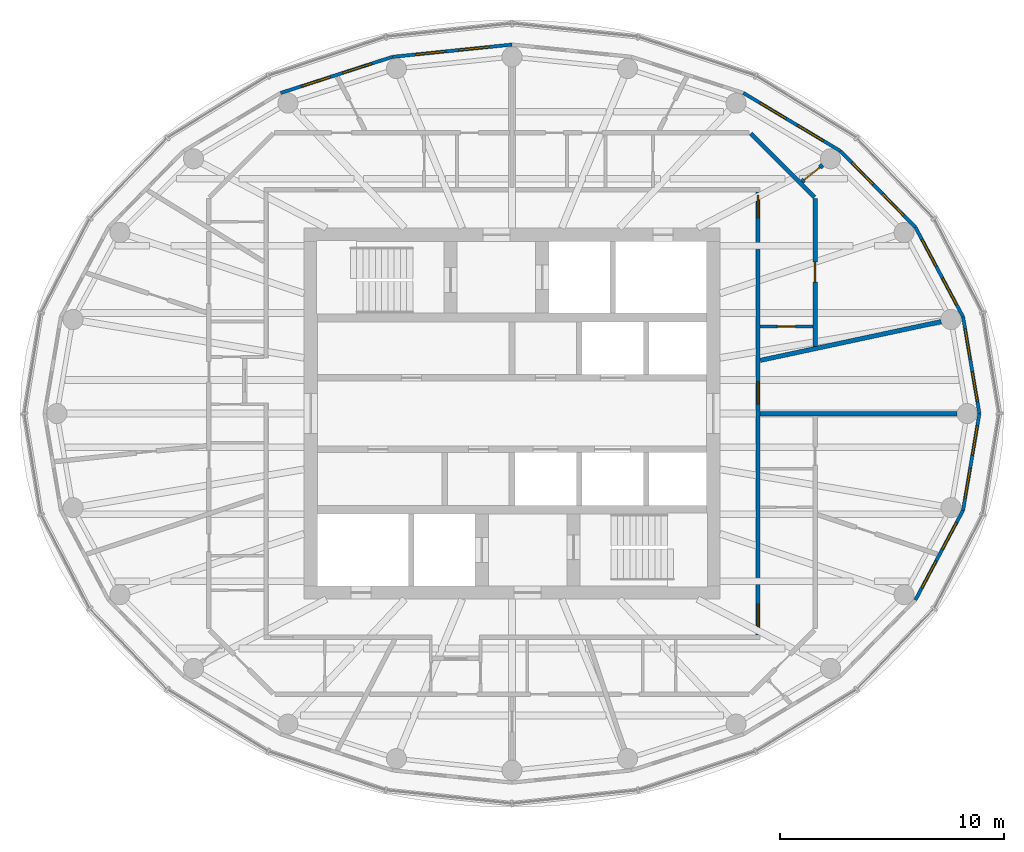
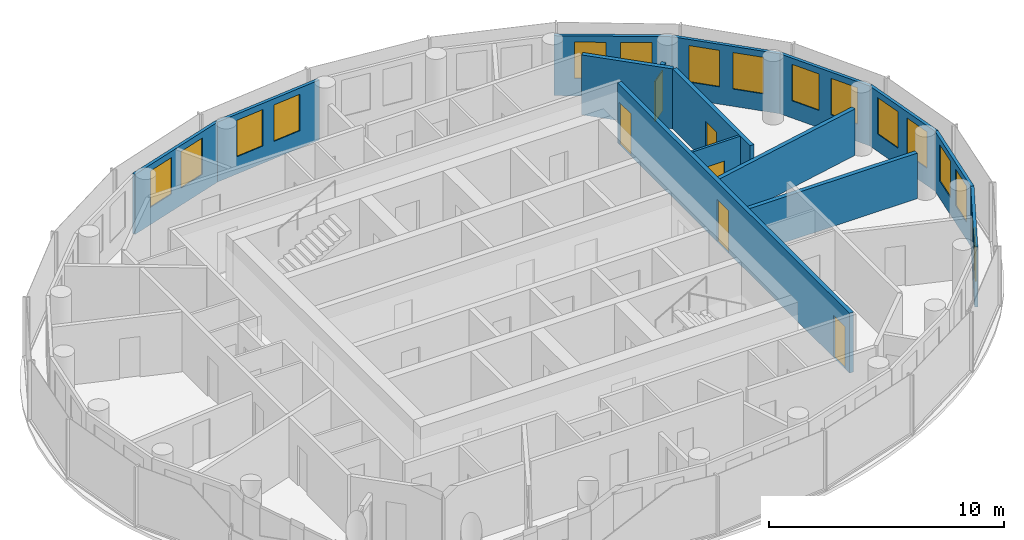
# One storey, part 9 of 11: 16 windows, 15 walls, 6 doors, 22 openings.
"""IFC4 building model written with IfcOpenShell, lengths in metres."""

import ifcopenshell
import ifcopenshell.guid

model = None  # the IFC model being written
_history = None  # IfcOwnerHistory: only IFC2X3 demands one
_inside = {}  # id of a spatial element -> (the spatial element, [elements in it])
_under = {}  # id of a project, library or spatial element -> (it, [spatial elements below it])
_declared = {}  # id of a project -> (the project, [libraries it declares])
_typed = {}  # id of a type object -> (the type object, [elements of that type])
_made_of = {}  # id of a material, layer set ... -> (it, [elements and type objects made of it])


def new_model(schema):
    """Start an empty IFC model of exactly this schema.

    Asked for "IFC4X3", IfcOpenShell would pick the latest addendum, in which some entities
    have other attributes; the version numbers below select the first issue.
    IFC2X3 requires an IfcOwnerHistory on every rooted entity: one is made here for all.
    """
    global model, _history
    if schema == "IFC4X3":
        model = ifcopenshell.file(schema_version=(4, 3, 0, 0))
    else:
        model = ifcopenshell.file(schema=schema)
    _inside.clear()
    _under.clear()
    _declared.clear()
    _typed.clear()
    _made_of.clear()
    _history = None
    if model.schema == "IFC2X3":
        org = make("IfcOrganization", Name="unknown")
        user = make(
            "IfcPersonAndOrganization",
            ThePerson=make("IfcPerson", FamilyName="unknown"),
            TheOrganization=org,
        )
        app = make(
            "IfcApplication",
            ApplicationDeveloper=org,
            Version="unknown",
            ApplicationFullName="unknown",
            ApplicationIdentifier="unknown",
        )
        _history = make(
            "IfcOwnerHistory",
            OwningUser=user,
            OwningApplication=app,
            ChangeAction="ADDED",
            CreationDate=0,
        )
    return model


def make(cls, **values):
    """One entity of the class cls with the attributes given. An attribute that is None is left unset."""
    return model.create_entity(
        cls, **{name: value for name, value in values.items() if value is not None}
    )


def rooted(cls, **values):
    """An entity with a GlobalId (a new one), such as an element, a storey or a relation."""
    return make(cls, GlobalId=ifcopenshell.guid.new(), OwnerHistory=_history, **values)


def si_unit(unit_type, name, prefix=None):
    """IfcSIUnit, for example si_unit("LENGTHUNIT", "METRE", prefix="MILLI")."""
    return make("IfcSIUnit", UnitType=unit_type, Prefix=prefix, Name=name)


def assignment(units):
    """IfcUnitAssignment: the units of a project."""
    return None if units is None else make("IfcUnitAssignment", Units=units)


def point(xyz):
    """IfcCartesianPoint."""
    return None if xyz is None else make("IfcCartesianPoint", Coordinates=xyz)


def direction(xyz):
    """IfcDirection."""
    return None if xyz is None else make("IfcDirection", DirectionRatios=xyz)


def frame(location, z_axis=None, x_axis=None):
    """IfcAxis2Placement3D, a coordinate frame: its origin and axes. An axis left out is left unset."""
    return make(
        "IfcAxis2Placement3D",
        Location=point(location),
        Axis=direction(z_axis),
        RefDirection=direction(x_axis),
    )


def frame_2d(location, x_axis=None):
    """IfcAxis2Placement2D, a coordinate frame in the plane: its origin and x axis."""
    return make(
        "IfcAxis2Placement2D", Location=point(location), RefDirection=direction(x_axis)
    )


def origin():
    """The frame at (0, 0, 0) with its axes left unset."""
    return frame((0.0, 0.0, 0.0))


def place(relative_to, where):
    """IfcLocalPlacement: puts the frame where relative to a parent placement (None: the world)."""
    return make(
        "IfcLocalPlacement", PlacementRelTo=relative_to, RelativePlacement=where
    )


def context(
    kind, dimensions, precision=None, world=None, true_north=None, identifier=None
):
    """IfcGeometricRepresentationContext, for example the 3D "Model" context."""
    return make(
        "IfcGeometricRepresentationContext",
        ContextIdentifier=identifier,
        ContextType=kind,
        CoordinateSpaceDimension=dimensions,
        Precision=precision,
        WorldCoordinateSystem=world,
        TrueNorth=true_north,
    )


def subcontext(parent, identifier, kind, view, scale=None):
    """IfcGeometricRepresentationSubContext, for example "Body" below "Model"."""
    return make(
        "IfcGeometricRepresentationSubContext",
        ContextIdentifier=identifier,
        ContextType=kind,
        ParentContext=parent,
        TargetScale=scale,
        TargetView=view,
    )


def project(units=None, contexts=None):
    """IfcProject with its units and contexts."""
    return rooted(
        "IfcProject",
        Name="project",
        RepresentationContexts=contexts,
        UnitsInContext=assignment(units),
    )


def spatial(cls, under=None, at=None, **own):
    """A site, building, storey or space (cls), placed at a placement, below another one or the project."""
    s = rooted(cls, ObjectPlacement=at, **own)
    if under is not None:
        _under.setdefault(under.id(), (under, []))[1].append(s)
    return s


def profile(cls, at=None, kind="AREA", **sizes):
    """A parametric profile (cls). Its sizes go by their IFC names, for example OverallWidth=200.0."""
    return make(cls, ProfileType=kind, Position=at, **sizes)


def rectangle(**sizes):
    """IfcRectangleProfileDef."""
    return profile("IfcRectangleProfileDef", **sizes)


def extrude(swept, where, along, depth):
    """IfcExtrudedAreaSolid: the profile swept, set in the frame where, extruded along a direction by depth."""
    return make(
        "IfcExtrudedAreaSolid",
        SweptArea=swept,
        Position=where,
        ExtrudedDirection=direction(along),
        Depth=depth,
    )


def shape(context_of_items, identifier, shape_type, items):
    """IfcShapeRepresentation: the items that make up one representation, for example the "Body"."""
    return make(
        "IfcShapeRepresentation",
        ContextOfItems=context_of_items,
        RepresentationIdentifier=identifier,
        RepresentationType=shape_type,
        Items=items,
    )


def material(Name=None, Category=None):
    """IfcMaterial."""
    return make("IfcMaterial", Name=Name, Category=Category)


def layer(
    of_material, thickness, ventilated=None, Name=None, Category=None, Priority=None
):
    """IfcMaterialLayer: one layer of a wall or slab, of a material (None: an air gap)."""
    return make(
        "IfcMaterialLayer",
        Material=of_material,
        LayerThickness=thickness,
        IsVentilated=ventilated,
        Name=Name,
        Category=Category,
        Priority=Priority,
    )


def layer_set(layers, Name=None):
    """IfcMaterialLayerSet."""
    return make("IfcMaterialLayerSet", MaterialLayers=layers, LayerSetName=Name)


def made_of(thing, what):
    """Note that an element or type object is made of a material, layer set ...; save() writes the relation."""
    if what is not None:
        _made_of.setdefault(what.id(), (what, []))[1].append(thing)
    return thing


def type_object(cls, material=None, **own):
    """A type object (cls), such as IfcWallType, which elements share."""
    return made_of(rooted(cls, **own), material)


def element(
    cls,
    number,
    at=None,
    inside=None,
    cuts=None,
    type_object=None,
    material=None,
    context=None,
    identifier="Body",
    shape_type=None,
    held_by="IfcProductDefinitionShape",
    body=None,
    shapes=None,
    **own,
):
    """One element of the class cls, such as IfcWall. Its Tag is "e" and its number.

    at: its placement. inside: the storey or other place that contains it. cuts: it is an
    opening in that element (IfcRelVoidsElement). A single representation is given by context,
    identifier, shape_type and body (its items); several are given by shapes. held_by: the class
    of the entity that holds the representations. save() writes the other relations.
    """
    e = rooted(cls, Tag="e%d" % number, ObjectPlacement=at, **own)
    if body is not None:
        shapes = [shape(context, identifier, shape_type, body)]
    if shapes is not None:
        e.Representation = make(held_by, Representations=shapes)
    if inside is not None:
        _inside.setdefault(inside.id(), (inside, []))[1].append(e)
    if cuts is not None:
        rooted(
            "IfcRelVoidsElement", RelatingBuildingElement=cuts, RelatedOpeningElement=e
        )
    if type_object is not None:
        _typed.setdefault(type_object.id(), (type_object, []))[1].append(e)
    return made_of(e, material)


def fill(opening, filler):
    """IfcRelFillsElement: the door or window that sits in an opening."""
    return rooted(
        "IfcRelFillsElement",
        RelatingOpeningElement=opening,
        RelatedBuildingElement=filler,
    )


def aggregate(whole, parts):
    """IfcRelAggregates: a whole, such as a stair, and the parts it consists of."""
    return rooted("IfcRelAggregates", RelatingObject=whole, RelatedObjects=parts)


def save(model, path):
    """Write the relations noted so far, then the file.

    IfcRelAggregates (storeys below a building ...), IfcRelContainedInSpatialStructure (elements
    in a storey), IfcRelDefinesByType, IfcRelAssociatesMaterial and IfcRelDeclares: one each for
    every whole, place, type object, material and project.
    """
    for whole, parts in _under.values():
        aggregate(whole, parts)
    for where, things in _inside.values():
        rooted(
            "IfcRelContainedInSpatialStructure",
            RelatedElements=things,
            RelatingStructure=where,
        )
    for kind, things in _typed.values():
        rooted("IfcRelDefinesByType", RelatedObjects=things, RelatingType=kind)
    for what, things in _made_of.values():
        rooted("IfcRelAssociatesMaterial", RelatedObjects=things, RelatingMaterial=what)
    for by, libraries in _declared.values():
        rooted("IfcRelDeclares", RelatingContext=by, RelatedDefinitions=libraries)
    model.write(path)


model = new_model("IFC4")

# Units and contexts
model_context = context("Model", 3, precision=1e-05, world=origin(), true_north=direction((0.0, 1.0)))
body_context = subcontext(model_context, "Body", "Model", "MODEL_VIEW")
ifc_project = project(units=[si_unit("LENGTHUNIT", "METRE"), si_unit("AREAUNIT", "SQUARE_METRE"), si_unit("VOLUMEUNIT", "CUBIC_METRE"), si_unit("PLANEANGLEUNIT", "RADIAN"), si_unit("MASSUNIT", "GRAM", prefix="KILO")], contexts=[model_context])

# Site, building, storey
site_placement = place(None, origin())
site = spatial("IfcSite", under=ifc_project, at=site_placement, CompositionType="ELEMENT")
building_placement = place(site_placement, origin())
building = spatial("IfcBuilding", under=site, at=building_placement, Name="Hankou Lantern Tower", CompositionType="ELEMENT")
storey_placement = place(building_placement, frame((0.0, 0.0, 196.199951171875)))
storey = spatial("IfcBuildingStorey", under=building, at=storey_placement, Name="L52", CompositionType="ELEMENT", Elevation=196.199951171875)

# Wall, openings, windows
ifc_material_1 = material(Name="Aluminium spandrel panel on steel studs", Category="steel")
ifc_layer_1 = layer(ifc_material_1, 0.14990234375)
ifc_layer_set_1 = layer_set([ifc_layer_1], Name="Aluminium spandrel panel on steel studs")
wall_type_1 = type_object("IfcWallType", Name="EW1 INNER SKIN WALL 150", PredefinedType="ELEMENTEDWALL", material=ifc_layer_set_1)
wall_1_placement = place(storey_placement, frame((20.89990234375, 0.0, 0.0), z_axis=(0.0, 0.0, 1.0), x_axis=(-0.166538513568, 0.986034950445, 0.0)))
wall_1 = element("IfcWall", 1, at=wall_1_placement, inside=storey, type_object=wall_type_1, Name="Inner skin R01-R02 L52", PredefinedType="ELEMENTEDWALL", context=body_context, shape_type="SweptSolid", body=[
    extrude(rectangle(XDim=4.384765625, YDim=0.14990234375, at=frame_2d((2.1923828125, 0.0))), origin(), (0.0, 0.0, 1.0), 3.1201171875),
])
opening_1_placement = place(wall_1_placement, frame((0.54248046875, 0.0, 0.89990234375)))
opening_1 = element("IfcOpeningElement", 2, at=opening_1_placement, cuts=wall_1, Name="Opening W4", PredefinedType="OPENING", context=body_context, shape_type="SweptSolid", body=[
    extrude(rectangle(XDim=1.35009765625, YDim=1.89990234375, at=frame_2d((0.675048828125, 0.949951171875))), frame((0.0, 0.0849609375, 0.0), z_axis=(0.0, -1.0, 0.0), x_axis=(1.0, 0.0, 0.0)), (0.0, 0.0, 1.0), 0.169921875),
])
opening_2_placement = place(wall_1_placement, frame((2.492431640625, 0.0, 0.89990234375)))
opening_2 = element("IfcOpeningElement", 3, at=opening_2_placement, cuts=wall_1, Name="Opening W4", PredefinedType="OPENING", context=body_context, shape_type="SweptSolid", body=[
    extrude(rectangle(XDim=1.35009765625, YDim=1.89990234375, at=frame_2d((0.675048828125, 0.949951171875))), frame((0.0, 0.0849609375, 0.0), z_axis=(0.0, -1.0, 0.0), x_axis=(1.0, 0.0, 0.0)), (0.0, 0.0, 1.0), 0.169921875),
])
ifc_material_2 = material(Name="Aluminium framed double glazed window", Category="aluminium")
window_type = type_object("IfcWindowType", Name="W4 SUITE WINDOW 1350X1900", PartitioningType="DOUBLE_PANEL_VERTICAL", PredefinedType="WINDOW", material=ifc_material_2)
window_1_placement = place(opening_1_placement, origin())
window_1 = element("IfcWindow", 4, at=window_1_placement, inside=storey, type_object=window_type, Name="Window R01.1 L52", OverallHeight=1.89990234375, OverallWidth=1.35009765625, PartitioningType="SINGLE_PANEL", PredefinedType="WINDOW", context=body_context, shape_type="SweptSolid", body=[
    extrude(rectangle(XDim=1.35009765625, YDim=1.89990234375, at=frame_2d((0.675048828125, 0.949951171875))), frame((0.0, 0.030029296875, 0.0), z_axis=(0.0, -1.0, 0.0), x_axis=(1.0, 0.0, 0.0)), (0.0, 0.0, 1.0), 0.06005859375),
])
fill(opening_1, window_1)
window_2_placement = place(opening_2_placement, origin())
window_2 = element("IfcWindow", 5, at=window_2_placement, inside=storey, type_object=window_type, Name="Window R01.2 L52", OverallHeight=1.89990234375, OverallWidth=1.35009765625, PartitioningType="SINGLE_PANEL", PredefinedType="WINDOW", context=body_context, shape_type="SweptSolid", body=[
    extrude(rectangle(XDim=1.35009765625, YDim=1.89990234375, at=frame_2d((0.675048828125, 0.949951171875))), frame((0.0, 0.030029296875, 0.0), z_axis=(0.0, -1.0, 0.0), x_axis=(1.0, 0.0, 0.0)), (0.0, 0.0, 1.0), 0.06005859375),
])
fill(opening_2, window_2)

wall_2_placement = place(storey_placement, frame((20.169677734375, 4.323486328125, 0.0), z_axis=(0.0, 0.0, 1.0), x_axis=(-0.469256152955, 0.883062094597, 0.0)))
wall_2 = element("IfcWall", 6, at=wall_2_placement, inside=storey, type_object=wall_type_1, Name="Inner skin R02-R03 L52", PredefinedType="ELEMENTEDWALL", context=body_context, shape_type="SweptSolid", body=[
    extrude(rectangle(XDim=4.539306640625, YDim=0.14990234375, at=frame_2d((2.26953125, 0.0))), origin(), (0.0, 0.0, 1.0), 3.1201171875),
])
opening_3_placement = place(wall_2_placement, frame((0.61962890625, 0.0, 0.89990234375)))
opening_3 = element("IfcOpeningElement", 7, at=opening_3_placement, cuts=wall_2, Name="Opening W4", PredefinedType="OPENING", context=body_context, shape_type="SweptSolid", body=[
    extrude(rectangle(XDim=1.35009765625, YDim=1.89990234375, at=frame_2d((0.675048828125, 0.949951171875))), frame((0.0, 0.0849609375, 0.0), z_axis=(0.0, -1.0, 0.0), x_axis=(1.0, 0.0, 0.0)), (0.0, 0.0, 1.0), 0.169921875),
])
opening_4_placement = place(wall_2_placement, frame((2.569580078125, 0.0, 0.89990234375)))
opening_4 = element("IfcOpeningElement", 8, at=opening_4_placement, cuts=wall_2, Name="Opening W4", PredefinedType="OPENING", context=body_context, shape_type="SweptSolid", body=[
    extrude(rectangle(XDim=1.35009765625, YDim=1.89990234375, at=frame_2d((0.675048828125, 0.949951171875))), frame((0.0, 0.0849609375, 0.0), z_axis=(0.0, -1.0, 0.0), x_axis=(1.0, 0.0, 0.0)), (0.0, 0.0, 1.0), 0.169921875),
])
window_3_placement = place(opening_3_placement, origin())
window_3 = element("IfcWindow", 9, at=window_3_placement, inside=storey, type_object=window_type, Name="Window R02.1 L52", OverallHeight=1.89990234375, OverallWidth=1.35009765625, PartitioningType="SINGLE_PANEL", PredefinedType="WINDOW", context=body_context, shape_type="SweptSolid", body=[
    extrude(rectangle(XDim=1.35009765625, YDim=1.89990234375, at=frame_2d((0.675048828125, 0.949951171875))), frame((0.0, 0.030029296875, 0.0), z_axis=(0.0, -1.0, 0.0), x_axis=(1.0, 0.0, 0.0)), (0.0, 0.0, 1.0), 0.06005859375),
])
fill(opening_3, window_3)
window_4_placement = place(opening_4_placement, origin())
window_4 = element("IfcWindow", 10, at=window_4_placement, inside=storey, type_object=window_type, Name="Window R02.2 L52", OverallHeight=1.89990234375, OverallWidth=1.35009765625, PartitioningType="SINGLE_PANEL", PredefinedType="WINDOW", context=body_context, shape_type="SweptSolid", body=[
    extrude(rectangle(XDim=1.35009765625, YDim=1.89990234375, at=frame_2d((0.675048828125, 0.949951171875))), frame((0.0, 0.030029296875, 0.0), z_axis=(0.0, -1.0, 0.0), x_axis=(1.0, 0.0, 0.0)), (0.0, 0.0, 1.0), 0.06005859375),
])
fill(opening_4, window_4)

wall_3_placement = place(storey_placement, frame((18.03955078125, 8.33203125, 0.0), z_axis=(0.0, 0.0, 1.0), x_axis=(-0.701527379618, 0.712642501993, 0.0)))
wall_3 = element("IfcWall", 11, at=wall_3_placement, inside=storey, type_object=wall_type_1, Name="Inner skin R03-R04 L52", PredefinedType="ELEMENTEDWALL", context=body_context, shape_type="SweptSolid", body=[
    extrude(rectangle(XDim=4.788330078125, YDim=0.14990234375, at=frame_2d((2.39404296875, 0.0))), origin(), (0.0, 0.0, 1.0), 3.1201171875),
])
opening_5_placement = place(wall_3_placement, frame((0.744140625, 0.0, 0.89990234375)))
opening_5 = element("IfcOpeningElement", 12, at=opening_5_placement, cuts=wall_3, Name="Opening W4", PredefinedType="OPENING", context=body_context, shape_type="SweptSolid", body=[
    extrude(rectangle(XDim=1.35009765625, YDim=1.89990234375, at=frame_2d((0.675048828125, 0.949951171875))), frame((0.0, 0.0849609375, 0.0), z_axis=(0.0, -1.0, 0.0), x_axis=(1.0, 0.0, 0.0)), (0.0, 0.0, 1.0), 0.169921875),
])
opening_6_placement = place(wall_3_placement, frame((2.694091796875, 0.0, 0.89990234375)))
opening_6 = element("IfcOpeningElement", 13, at=opening_6_placement, cuts=wall_3, Name="Opening W4", PredefinedType="OPENING", context=body_context, shape_type="SweptSolid", body=[
    extrude(rectangle(XDim=1.35009765625, YDim=1.89990234375, at=frame_2d((0.675048828125, 0.949951171875))), frame((0.0, 0.0849609375, 0.0), z_axis=(0.0, -1.0, 0.0), x_axis=(1.0, 0.0, 0.0)), (0.0, 0.0, 1.0), 0.169921875),
])
window_5_placement = place(opening_5_placement, origin())
window_5 = element("IfcWindow", 14, at=window_5_placement, inside=storey, type_object=window_type, Name="Window R03.1 L52", OverallHeight=1.89990234375, OverallWidth=1.35009765625, PartitioningType="SINGLE_PANEL", PredefinedType="WINDOW", context=body_context, shape_type="SweptSolid", body=[
    extrude(rectangle(XDim=1.35009765625, YDim=1.89990234375, at=frame_2d((0.675048828125, 0.949951171875))), frame((0.0, 0.030029296875, 0.0), z_axis=(0.0, -1.0, 0.0), x_axis=(1.0, 0.0, 0.0)), (0.0, 0.0, 1.0), 0.06005859375),
])
fill(opening_5, window_5)
window_6_placement = place(opening_6_placement, origin())
window_6 = element("IfcWindow", 15, at=window_6_placement, inside=storey, type_object=window_type, Name="Window R03.2 L52", OverallHeight=1.89990234375, OverallWidth=1.35009765625, PartitioningType="SINGLE_PANEL", PredefinedType="WINDOW", context=body_context, shape_type="SweptSolid", body=[
    extrude(rectangle(XDim=1.35009765625, YDim=1.89990234375, at=frame_2d((0.675048828125, 0.949951171875))), frame((0.0, 0.030029296875, 0.0), z_axis=(0.0, -1.0, 0.0), x_axis=(1.0, 0.0, 0.0)), (0.0, 0.0, 1.0), 0.06005859375),
])
fill(opening_6, window_6)

wall_4_placement = place(storey_placement, frame((14.680419921875, 11.744384765625, 0.0), z_axis=(0.0, 0.0, 1.0), x_axis=(-0.85822150553, 0.513279502265, 0.0)))
wall_4 = element("IfcWall", 16, at=wall_4_placement, inside=storey, type_object=wall_type_1, Name="Inner skin R04-R05 L52", PredefinedType="ELEMENTEDWALL", context=body_context, shape_type="SweptSolid", body=[
    extrude(rectangle(XDim=5.050048828125, YDim=0.14990234375, at=frame_2d((2.52490234375, 0.0))), origin(), (0.0, 0.0, 1.0), 3.1201171875),
])
opening_7_placement = place(wall_4_placement, frame((0.875, 0.0, 0.89990234375)))
opening_7 = element("IfcOpeningElement", 17, at=opening_7_placement, cuts=wall_4, Name="Opening W4", PredefinedType="OPENING", context=body_context, shape_type="SweptSolid", body=[
    extrude(rectangle(XDim=1.35009765625, YDim=1.89990234375, at=frame_2d((0.675048828125, 0.949951171875))), frame((0.0, 0.0849609375, 0.0), z_axis=(0.0, -1.0, 0.0), x_axis=(1.0, 0.0, 0.0)), (0.0, 0.0, 1.0), 0.169921875),
])
opening_8_placement = place(wall_4_placement, frame((2.824951171875, 0.0, 0.89990234375)))
opening_8 = element("IfcOpeningElement", 18, at=opening_8_placement, cuts=wall_4, Name="Opening W4", PredefinedType="OPENING", context=body_context, shape_type="SweptSolid", body=[
    extrude(rectangle(XDim=1.35009765625, YDim=1.89990234375, at=frame_2d((0.675048828125, 0.949951171875))), frame((0.0, 0.0849609375, 0.0), z_axis=(0.0, -1.0, 0.0), x_axis=(1.0, 0.0, 0.0)), (0.0, 0.0, 1.0), 0.169921875),
])
window_7_placement = place(opening_7_placement, origin())
window_7 = element("IfcWindow", 19, at=window_7_placement, inside=storey, type_object=window_type, Name="Window R04.1 L52", OverallHeight=1.89990234375, OverallWidth=1.35009765625, PartitioningType="SINGLE_PANEL", PredefinedType="WINDOW", context=body_context, shape_type="SweptSolid", body=[
    extrude(rectangle(XDim=1.35009765625, YDim=1.89990234375, at=frame_2d((0.675048828125, 0.949951171875))), frame((0.0, 0.030029296875, 0.0), z_axis=(0.0, -1.0, 0.0), x_axis=(1.0, 0.0, 0.0)), (0.0, 0.0, 1.0), 0.06005859375),
])
fill(opening_7, window_7)
window_8_placement = place(opening_8_placement, origin())
window_8 = element("IfcWindow", 20, at=window_8_placement, inside=storey, type_object=window_type, Name="Window R04.2 L52", OverallHeight=1.89990234375, OverallWidth=1.35009765625, PartitioningType="SINGLE_PANEL", PredefinedType="WINDOW", context=body_context, shape_type="SweptSolid", body=[
    extrude(rectangle(XDim=1.35009765625, YDim=1.89990234375, at=frame_2d((0.675048828125, 0.949951171875))), frame((0.0, 0.030029296875, 0.0), z_axis=(0.0, -1.0, 0.0), x_axis=(1.0, 0.0, 0.0)), (0.0, 0.0, 1.0), 0.06005859375),
])
fill(opening_8, window_8)

wall_5_placement = place(storey_placement, frame((0.0, 16.5, 0.0), z_axis=(0.0, 0.0, 1.0), x_axis=(-0.994774574972, -0.102095763818, 0.0)))
wall_5 = element("IfcWall", 21, at=wall_5_placement, inside=storey, type_object=wall_type_1, Name="Inner skin R07-R08 L52", PredefinedType="ELEMENTEDWALL", context=body_context, shape_type="SweptSolid", body=[
    extrude(rectangle(XDim=5.370849609375, YDim=0.14990234375, at=frame_2d((2.685546875, 0.0))), origin(), (0.0, 0.0, 1.0), 3.1201171875),
])
opening_9_placement = place(wall_5_placement, frame((1.035400390625, 0.0, 0.89990234375)))
opening_9 = element("IfcOpeningElement", 22, at=opening_9_placement, cuts=wall_5, Name="Opening W4", PredefinedType="OPENING", context=body_context, shape_type="SweptSolid", body=[
    extrude(rectangle(XDim=1.35009765625, YDim=1.89990234375, at=frame_2d((0.675048828125, 0.949951171875))), frame((0.0, 0.0849609375, 0.0), z_axis=(0.0, -1.0, 0.0), x_axis=(1.0, 0.0, 0.0)), (0.0, 0.0, 1.0), 0.169921875),
])
opening_10_placement = place(wall_5_placement, frame((2.9853515625, 0.0, 0.89990234375)))
opening_10 = element("IfcOpeningElement", 23, at=opening_10_placement, cuts=wall_5, Name="Opening W4", PredefinedType="OPENING", context=body_context, shape_type="SweptSolid", body=[
    extrude(rectangle(XDim=1.35009765625, YDim=1.89990234375, at=frame_2d((0.675048828125, 0.949951171875))), frame((0.0, 0.0849609375, 0.0), z_axis=(0.0, -1.0, 0.0), x_axis=(1.0, 0.0, 0.0)), (0.0, 0.0, 1.0), 0.169921875),
])
window_9_placement = place(opening_9_placement, origin())
window_9 = element("IfcWindow", 24, at=window_9_placement, inside=storey, type_object=window_type, Name="Window R07.1 L52", OverallHeight=1.89990234375, OverallWidth=1.35009765625, PartitioningType="SINGLE_PANEL", PredefinedType="WINDOW", context=body_context, shape_type="SweptSolid", body=[
    extrude(rectangle(XDim=1.35009765625, YDim=1.89990234375, at=frame_2d((0.675048828125, 0.949951171875))), frame((0.0, 0.030029296875, 0.0), z_axis=(0.0, -1.0, 0.0), x_axis=(1.0, 0.0, 0.0)), (0.0, 0.0, 1.0), 0.06005859375),
])
fill(opening_9, window_9)
window_10_placement = place(opening_10_placement, origin())
window_10 = element("IfcWindow", 25, at=window_10_placement, inside=storey, type_object=window_type, Name="Window R07.2 L52", OverallHeight=1.89990234375, OverallWidth=1.35009765625, PartitioningType="SINGLE_PANEL", PredefinedType="WINDOW", context=body_context, shape_type="SweptSolid", body=[
    extrude(rectangle(XDim=1.35009765625, YDim=1.89990234375, at=frame_2d((0.675048828125, 0.949951171875))), frame((0.0, 0.030029296875, 0.0), z_axis=(0.0, -1.0, 0.0), x_axis=(1.0, 0.0, 0.0)), (0.0, 0.0, 1.0), 0.06005859375),
])
fill(opening_10, window_10)

wall_6_placement = place(storey_placement, frame((-5.3427734375, 15.95166015625, 0.0), z_axis=(0.0, 0.0, 1.0), x_axis=(-0.951644702515, -0.307200846638, 0.0)))
wall_6 = element("IfcWall", 26, at=wall_6_placement, inside=storey, type_object=wall_type_1, Name="Inner skin R08-R09 L52", PredefinedType="ELEMENTEDWALL", context=body_context, shape_type="SweptSolid", body=[
    extrude(rectangle(XDim=5.2578125, YDim=0.14990234375, at=frame_2d((2.62890625, 0.0))), origin(), (0.0, 0.0, 1.0), 3.1201171875),
])
opening_11_placement = place(wall_6_placement, frame((0.97900390625, 0.0, 0.89990234375)))
opening_11 = element("IfcOpeningElement", 27, at=opening_11_placement, cuts=wall_6, Name="Opening W4", PredefinedType="OPENING", context=body_context, shape_type="SweptSolid", body=[
    extrude(rectangle(XDim=1.35009765625, YDim=1.89990234375, at=frame_2d((0.675048828125, 0.949951171875))), frame((0.0, 0.0849609375, 0.0), z_axis=(0.0, -1.0, 0.0), x_axis=(1.0, 0.0, 0.0)), (0.0, 0.0, 1.0), 0.169921875),
])
opening_12_placement = place(wall_6_placement, frame((2.928955078125, 0.0, 0.89990234375)))
opening_12 = element("IfcOpeningElement", 28, at=opening_12_placement, cuts=wall_6, Name="Opening W4", PredefinedType="OPENING", context=body_context, shape_type="SweptSolid", body=[
    extrude(rectangle(XDim=1.35009765625, YDim=1.89990234375, at=frame_2d((0.675048828125, 0.949951171875))), frame((0.0, 0.0849609375, 0.0), z_axis=(0.0, -1.0, 0.0), x_axis=(1.0, 0.0, 0.0)), (0.0, 0.0, 1.0), 0.169921875),
])
window_11_placement = place(opening_11_placement, origin())
window_11 = element("IfcWindow", 29, at=window_11_placement, inside=storey, type_object=window_type, Name="Window R08.1 L52", OverallHeight=1.89990234375, OverallWidth=1.35009765625, PartitioningType="SINGLE_PANEL", PredefinedType="WINDOW", context=body_context, shape_type="SweptSolid", body=[
    extrude(rectangle(XDim=1.35009765625, YDim=1.89990234375, at=frame_2d((0.675048828125, 0.949951171875))), frame((0.0, 0.030029296875, 0.0), z_axis=(0.0, -1.0, 0.0), x_axis=(1.0, 0.0, 0.0)), (0.0, 0.0, 1.0), 0.06005859375),
])
fill(opening_11, window_11)
window_12_placement = place(opening_12_placement, origin())
window_12 = element("IfcWindow", 30, at=window_12_placement, inside=storey, type_object=window_type, Name="Window R08.2 L52", OverallHeight=1.89990234375, OverallWidth=1.35009765625, PartitioningType="SINGLE_PANEL", PredefinedType="WINDOW", context=body_context, shape_type="SweptSolid", body=[
    extrude(rectangle(XDim=1.35009765625, YDim=1.89990234375, at=frame_2d((0.675048828125, 0.949951171875))), frame((0.0, 0.030029296875, 0.0), z_axis=(0.0, -1.0, 0.0), x_axis=(1.0, 0.0, 0.0)), (0.0, 0.0, 1.0), 0.06005859375),
])
fill(opening_12, window_12)

wall_7_placement = place(storey_placement, frame((18.03955078125, -8.33203125, 0.0), z_axis=(0.0, 0.0, 1.0), x_axis=(0.469256152955, 0.883062094597, 0.0)))
wall_7 = element("IfcWall", 31, at=wall_7_placement, inside=storey, type_object=wall_type_1, Name="Inner skin R23-R24 L52", PredefinedType="ELEMENTEDWALL", context=body_context, shape_type="SweptSolid", body=[
    extrude(rectangle(XDim=4.539306640625, YDim=0.14990234375, at=frame_2d((2.26953125, 0.0))), origin(), (0.0, 0.0, 1.0), 3.1201171875),
])
opening_13_placement = place(wall_7_placement, frame((0.61962890625, 0.0, 0.89990234375)))
opening_13 = element("IfcOpeningElement", 32, at=opening_13_placement, cuts=wall_7, Name="Opening W4", PredefinedType="OPENING", context=body_context, shape_type="SweptSolid", body=[
    extrude(rectangle(XDim=1.35009765625, YDim=1.89990234375, at=frame_2d((0.675048828125, 0.949951171875))), frame((0.0, 0.0849609375, 0.0), z_axis=(0.0, -1.0, 0.0), x_axis=(1.0, 0.0, 0.0)), (0.0, 0.0, 1.0), 0.169921875),
])
opening_14_placement = place(wall_7_placement, frame((2.569580078125, 0.0, 0.89990234375)))
opening_14 = element("IfcOpeningElement", 33, at=opening_14_placement, cuts=wall_7, Name="Opening W4", PredefinedType="OPENING", context=body_context, shape_type="SweptSolid", body=[
    extrude(rectangle(XDim=1.35009765625, YDim=1.89990234375, at=frame_2d((0.675048828125, 0.949951171875))), frame((0.0, 0.0849609375, 0.0), z_axis=(0.0, -1.0, 0.0), x_axis=(1.0, 0.0, 0.0)), (0.0, 0.0, 1.0), 0.169921875),
])
window_13_placement = place(opening_13_placement, origin())
window_13 = element("IfcWindow", 34, at=window_13_placement, inside=storey, type_object=window_type, Name="Window R23.1 L52", OverallHeight=1.89990234375, OverallWidth=1.35009765625, PartitioningType="SINGLE_PANEL", PredefinedType="WINDOW", context=body_context, shape_type="SweptSolid", body=[
    extrude(rectangle(XDim=1.35009765625, YDim=1.89990234375, at=frame_2d((0.675048828125, 0.949951171875))), frame((0.0, 0.030029296875, 0.0), z_axis=(0.0, -1.0, 0.0), x_axis=(1.0, 0.0, 0.0)), (0.0, 0.0, 1.0), 0.06005859375),
])
fill(opening_13, window_13)
window_14_placement = place(opening_14_placement, origin())
window_14 = element("IfcWindow", 35, at=window_14_placement, inside=storey, type_object=window_type, Name="Window R23.2 L52", OverallHeight=1.89990234375, OverallWidth=1.35009765625, PartitioningType="SINGLE_PANEL", PredefinedType="WINDOW", context=body_context, shape_type="SweptSolid", body=[
    extrude(rectangle(XDim=1.35009765625, YDim=1.89990234375, at=frame_2d((0.675048828125, 0.949951171875))), frame((0.0, 0.030029296875, 0.0), z_axis=(0.0, -1.0, 0.0), x_axis=(1.0, 0.0, 0.0)), (0.0, 0.0, 1.0), 0.06005859375),
])
fill(opening_14, window_14)

wall_8_placement = place(storey_placement, frame((20.169677734375, -4.323486328125, 0.0), z_axis=(0.0, 0.0, 1.0), x_axis=(0.166538513568, 0.986034950445, 0.0)))
wall_8 = element("IfcWall", 36, at=wall_8_placement, inside=storey, type_object=wall_type_1, Name="Inner skin R24-R01 L52", PredefinedType="ELEMENTEDWALL", context=body_context, shape_type="SweptSolid", body=[
    extrude(rectangle(XDim=4.384765625, YDim=0.14990234375, at=frame_2d((2.1923828125, 0.0))), origin(), (0.0, 0.0, 1.0), 3.1201171875),
])
opening_15_placement = place(wall_8_placement, frame((0.54248046875, 0.0, 0.89990234375)))
opening_15 = element("IfcOpeningElement", 37, at=opening_15_placement, cuts=wall_8, Name="Opening W4", PredefinedType="OPENING", context=body_context, shape_type="SweptSolid", body=[
    extrude(rectangle(XDim=1.35009765625, YDim=1.89990234375, at=frame_2d((0.675048828125, 0.949951171875))), frame((0.0, 0.0849609375, 0.0), z_axis=(0.0, -1.0, 0.0), x_axis=(1.0, 0.0, 0.0)), (0.0, 0.0, 1.0), 0.169921875),
])
opening_16_placement = place(wall_8_placement, frame((2.492431640625, 0.0, 0.89990234375)))
opening_16 = element("IfcOpeningElement", 38, at=opening_16_placement, cuts=wall_8, Name="Opening W4", PredefinedType="OPENING", context=body_context, shape_type="SweptSolid", body=[
    extrude(rectangle(XDim=1.35009765625, YDim=1.89990234375, at=frame_2d((0.675048828125, 0.949951171875))), frame((0.0, 0.0849609375, 0.0), z_axis=(0.0, -1.0, 0.0), x_axis=(1.0, 0.0, 0.0)), (0.0, 0.0, 1.0), 0.169921875),
])
window_15_placement = place(opening_15_placement, origin())
window_15 = element("IfcWindow", 39, at=window_15_placement, inside=storey, type_object=window_type, Name="Window R24.1 L52", OverallHeight=1.89990234375, OverallWidth=1.35009765625, PartitioningType="SINGLE_PANEL", PredefinedType="WINDOW", context=body_context, shape_type="SweptSolid", body=[
    extrude(rectangle(XDim=1.35009765625, YDim=1.89990234375, at=frame_2d((0.675048828125, 0.949951171875))), frame((0.0, 0.030029296875, 0.0), z_axis=(0.0, -1.0, 0.0), x_axis=(1.0, 0.0, 0.0)), (0.0, 0.0, 1.0), 0.06005859375),
])
fill(opening_15, window_15)
window_16_placement = place(opening_16_placement, origin())
window_16 = element("IfcWindow", 40, at=window_16_placement, inside=storey, type_object=window_type, Name="Window R24.2 L52", OverallHeight=1.89990234375, OverallWidth=1.35009765625, PartitioningType="SINGLE_PANEL", PredefinedType="WINDOW", context=body_context, shape_type="SweptSolid", body=[
    extrude(rectangle(XDim=1.35009765625, YDim=1.89990234375, at=frame_2d((0.675048828125, 0.949951171875))), frame((0.0, 0.030029296875, 0.0), z_axis=(0.0, -1.0, 0.0), x_axis=(1.0, 0.0, 0.0)), (0.0, 0.0, 1.0), 0.06005859375),
])
fill(opening_16, window_16)

# Wall, openings, doors
ifc_material_3 = material(Name="Masonry lightweight concrete block", Category="masonry")
ifc_layer_2 = layer(ifc_material_3, 0.199951171875)
ifc_layer_set_2 = layer_set([ifc_layer_2], Name="Masonry lightweight concrete block")
wall_type_2 = type_object("IfcWallType", Name="IW2 CORRIDOR WALL 200", PredefinedType="PARTITIONING", material=ifc_layer_set_2)
wall_9_placement = place(storey_placement, frame((11.0, -9.89990234375, 0.0), z_axis=(0.0, 0.0, 1.0), x_axis=(0.0, 1.0, 0.0)))
wall_9 = element("IfcWall", 41, at=wall_9_placement, inside=storey, type_object=wall_type_2, Name="Corridor wall east", PredefinedType="PARTITIONING", context=body_context, shape_type="SweptSolid", body=[
    extrude(rectangle(XDim=19.7998046875, YDim=0.199951171875, at=frame_2d((9.89990234375, 0.0))), origin(), (0.0, 0.0, 1.0), 3.1201171875),
])
opening_17_placement = place(wall_9_placement, frame((10.320068359375, 0.0, 0.0)))
opening_17 = element("IfcOpeningElement", 42, at=opening_17_placement, cuts=wall_9, Name="Opening D28", PredefinedType="OPENING", context=body_context, shape_type="SweptSolid", body=[
    extrude(rectangle(XDim=1.0, YDim=2.199951171875, at=frame_2d((0.5, 1.10009765625))), frame((0.0, 0.10986328125, 0.0), z_axis=(0.0, -1.0, 0.0), x_axis=(1.0, 0.0, 0.0)), (0.0, 0.0, 1.0), 0.219970703125),
])
opening_18_placement = place(wall_9_placement, frame((18.652587890625, 0.0, 0.0)))
opening_18 = element("IfcOpeningElement", 43, at=opening_18_placement, cuts=wall_9, Name="Opening D2", PredefinedType="OPENING", context=body_context, shape_type="SweptSolid", body=[
    extrude(rectangle(XDim=1.0, YDim=2.199951171875, at=frame_2d((0.5, 1.10009765625))), frame((0.0, 0.10986328125, 0.0), z_axis=(0.0, -1.0, 0.0), x_axis=(1.0, 0.0, 0.0)), (0.0, 0.0, 1.0), 0.219970703125),
])
opening_19_placement = place(wall_9_placement, frame((0.37939453125, 0.0, 0.0)))
opening_19 = element("IfcOpeningElement", 44, at=opening_19_placement, cuts=wall_9, Name="Opening D2", PredefinedType="OPENING", context=body_context, shape_type="SweptSolid", body=[
    extrude(rectangle(XDim=1.0, YDim=2.199951171875, at=frame_2d((0.5, 1.10009765625))), frame((0.0, 0.10986328125, 0.0), z_axis=(0.0, -1.0, 0.0), x_axis=(1.0, 0.0, 0.0)), (0.0, 0.0, 1.0), 0.219970703125),
])
ifc_material_4 = material(Name="Steel door leaf", Category="steel")
door_type_1 = type_object("IfcDoorType", Name="D2 SUITE DOOR 1000X2200", OperationType="SINGLE_SWING_LEFT", PredefinedType="DOOR", material=ifc_material_4)
door_1_placement = place(opening_18_placement, origin())
door_1 = element("IfcDoor", 45, at=door_1_placement, inside=storey, type_object=door_type_1, Name="Suite door 5202", OperationType="SINGLE_SWING_RIGHT", OverallHeight=2.199951171875, OverallWidth=1.0, PredefinedType="DOOR", context=body_context, shape_type="SweptSolid", body=[
    extrude(rectangle(XDim=1.0, YDim=2.199951171875, at=frame_2d((0.5, 1.10009765625))), frame((0.0, 0.02490234375, 0.0), z_axis=(0.0, -1.0, 0.0), x_axis=(1.0, 0.0, 0.0)), (0.0, 0.0, 1.0), 0.050048828125),
])
fill(opening_18, door_1)
door_2_placement = place(opening_19_placement, origin())
door_2 = element("IfcDoor", 46, at=door_2_placement, inside=storey, type_object=door_type_1, Name="Suite door 5207", OperationType="SINGLE_SWING_LEFT", OverallHeight=2.199951171875, OverallWidth=1.0, PredefinedType="DOOR", context=body_context, shape_type="SweptSolid", body=[
    extrude(rectangle(XDim=1.0, YDim=2.199951171875, at=frame_2d((0.5, 1.10009765625))), frame((0.0, 0.02490234375, 0.0), z_axis=(0.0, -1.0, 0.0), x_axis=(1.0, 0.0, 0.0)), (0.0, 0.0, 1.0), 0.050048828125),
])
fill(opening_19, door_2)
ifc_material_5 = material(Name="Steel door leaf", Category="steel")
door_type_2 = type_object("IfcDoorType", Name="D28 SERVICE DOOR 1000X2200", OperationType="SINGLE_SWING_LEFT", PredefinedType="DOOR", material=ifc_material_5)
door_3_placement = place(opening_17_placement, origin())
door_3 = element("IfcDoor", 47, at=door_3_placement, inside=storey, type_object=door_type_2, Name="Service door 5201", OperationType="SINGLE_SWING_RIGHT", OverallHeight=2.199951171875, OverallWidth=1.0, PredefinedType="DOOR", context=body_context, shape_type="SweptSolid", body=[
    extrude(rectangle(XDim=1.0, YDim=2.199951171875, at=frame_2d((0.5, 1.10009765625))), frame((0.0, 0.02490234375, 0.0), z_axis=(0.0, -1.0, 0.0), x_axis=(1.0, 0.0, 0.0)), (0.0, 0.0, 1.0), 0.050048828125),
])
fill(opening_17, door_3)

# Wall, opening, door
ifc_material_6 = material(Name="Masonry lightweight concrete block", Category="masonry")
ifc_layer_3 = layer(ifc_material_6, 0.1201171875)
ifc_layer_set_3 = layer_set([ifc_layer_3], Name="Masonry lightweight concrete block")
wall_type_3 = type_object("IfcWallType", Name="IW3 BATHROOM WALL 120", PredefinedType="PARTITIONING", material=ifc_layer_set_3)
wall_10_placement = place(storey_placement, frame((11.10009765625, 3.892578125, 0.0), z_axis=(0.0, 0.0, 1.0), x_axis=(1.0, 0.0, 0.0)))
wall_10 = element("IfcWall", 48, at=wall_10_placement, inside=storey, type_object=wall_type_3, Name="Box wall 5202 1", PredefinedType="PARTITIONING", context=body_context, shape_type="SweptSolid", body=[
    extrude(rectangle(XDim=2.349853515625, YDim=0.1201171875, at=frame_2d((1.1748046875, 0.0))), origin(), (0.0, 0.0, 1.0), 3.1201171875),
])
opening_20_placement = place(wall_10_placement, frame((0.77001953125, 0.0, 0.0)))
opening_20 = element("IfcOpeningElement", 49, at=opening_20_placement, cuts=wall_10, Name="Opening D3", PredefinedType="OPENING", context=body_context, shape_type="SweptSolid", body=[
    extrude(rectangle(XDim=0.800048828125, YDim=2.10009765625, at=frame_2d((0.39990234375, 1.050048828125))), frame((0.0, 0.070068359375, 0.0), z_axis=(0.0, -1.0, 0.0), x_axis=(1.0, 0.0, 0.0)), (0.0, 0.0, 1.0), 0.14013671875),
])
ifc_material_7 = material(Name="Timber door leaf", Category="wood")
door_type_3 = type_object("IfcDoorType", Name="D3 BATHROOM DOOR 800X2100", OperationType="SINGLE_SWING_LEFT", PredefinedType="DOOR", material=ifc_material_7)
door_4_placement = place(opening_20_placement, origin())
door_4 = element("IfcDoor", 50, at=door_4_placement, inside=storey, type_object=door_type_3, Name="Corner suite 5202 guest WC door", OperationType="SINGLE_SWING_LEFT", OverallHeight=2.10009765625, OverallWidth=0.800048828125, PredefinedType="DOOR", context=body_context, shape_type="SweptSolid", body=[
    extrude(rectangle(XDim=0.800048828125, YDim=2.10009765625, at=frame_2d((0.39990234375, 1.050048828125))), frame((0.0, 0.02490234375, 0.0), z_axis=(0.0, -1.0, 0.0), x_axis=(1.0, 0.0, 0.0)), (0.0, 0.0, 1.0), 0.050048828125),
])
fill(opening_20, door_4)

ifc_material_8 = material(Name="Masonry lightweight concrete block", Category="masonry")
ifc_layer_4 = layer(ifc_material_8, 0.199951171875)
ifc_layer_set_4 = layer_set([ifc_layer_4], Name="Masonry lightweight concrete block")
wall_type_4 = type_object("IfcWallType", Name="IW6 SUITE PARTITION 200", PredefinedType="PARTITIONING", material=ifc_layer_set_4)
wall_11_placement = place(storey_placement, frame((13.550048828125, 3.0078125, 0.0), z_axis=(0.0, 0.0, 1.0), x_axis=(0.0, 1.0, 0.0)))
wall_11 = element("IfcWall", 51, at=wall_11_placement, inside=storey, type_object=wall_type_4, Name="Suite foyer wall 5202", PredefinedType="PARTITIONING", context=body_context, shape_type="SweptSolid", body=[
    extrude(rectangle(XDim=6.600830078125, YDim=0.199951171875, at=frame_2d((3.30029296875, 0.0))), origin(), (0.0, 0.0, 1.0), 3.1201171875),
])
opening_21_placement = place(wall_11_placement, frame((2.8701171875, 0.0, 0.0)))
opening_21 = element("IfcOpeningElement", 52, at=opening_21_placement, cuts=wall_11, Name="Opening D27", PredefinedType="OPENING", context=body_context, shape_type="SweptSolid", body=[
    extrude(rectangle(XDim=0.89990234375, YDim=2.10009765625, at=frame_2d((0.449951171875, 1.050048828125))), frame((0.0, 0.10986328125, 0.0), z_axis=(0.0, -1.0, 0.0), x_axis=(1.0, 0.0, 0.0)), (0.0, 0.0, 1.0), 0.219970703125),
])
ifc_material_9 = material(Name="Timber door leaf", Category="wood")
door_type_4 = type_object("IfcDoorType", Name="D27 INTERNAL DOOR 900X2100", OperationType="SINGLE_SWING_LEFT", PredefinedType="DOOR", material=ifc_material_9)
door_5_placement = place(opening_21_placement, origin())
door_5 = element("IfcDoor", 53, at=door_5_placement, inside=storey, type_object=door_type_4, Name="Corner suite 5202 living room door", OperationType="SINGLE_SWING_LEFT", OverallHeight=2.10009765625, OverallWidth=0.89990234375, PredefinedType="DOOR", context=body_context, shape_type="SweptSolid", body=[
    extrude(rectangle(XDim=0.89990234375, YDim=2.10009765625, at=frame_2d((0.449951171875, 1.050048828125))), frame((0.0, 0.02490234375, 0.0), z_axis=(0.0, -1.0, 0.0), x_axis=(1.0, 0.0, 0.0)), (0.0, 0.0, 1.0), 0.050048828125),
])
fill(opening_21, door_5)

# Wall
wall_12_placement = place(storey_placement, frame((13.520751953125, 9.67919921875, 0.0), z_axis=(0.0, 0.0, 1.0), x_axis=(-0.707106781187, 0.707106781187, 0.0)))
element("IfcWall", 54, at=wall_12_placement, inside=storey, type_object=wall_type_4, Name="Suite foyer wall 5202", PredefinedType="PARTITIONING", context=body_context, shape_type="SweptSolid", body=[
    extrude(rectangle(XDim=4.0185546875, YDim=0.199951171875, at=frame_2d((2.00927734375, 0.0))), origin(), (0.0, 0.0, 1.0), 3.1201171875),
])

# Wall, opening, door
wall_13_placement = place(storey_placement, frame((12.967529296875, 10.3740234375, 0.0), z_axis=(0.0, 0.0, 1.0), x_axis=(0.780888968944, 0.624669847345, 0.0)))
wall_13 = element("IfcWall", 55, at=wall_13_placement, inside=storey, type_object=wall_type_4, Name="Suite partition R04", PredefinedType="PARTITIONING", context=body_context, shape_type="SweptSolid", body=[
    extrude(rectangle(XDim=1.181396484375, YDim=0.199951171875, at=frame_2d((0.5908203125, 0.0))), origin(), (0.0, 0.0, 1.0), 2.420166015625),
])
opening_22_placement = place(wall_13_placement, frame((0.1201171875, 0.0, 0.0)))
opening_22 = element("IfcOpeningElement", 56, at=opening_22_placement, cuts=wall_13, Name="Opening D27", PredefinedType="OPENING", context=body_context, shape_type="SweptSolid", body=[
    extrude(rectangle(XDim=0.89990234375, YDim=2.10009765625, at=frame_2d((0.449951171875, 1.050048828125))), frame((0.0, 0.10986328125, 0.0), z_axis=(0.0, -1.0, 0.0), x_axis=(1.0, 0.0, 0.0)), (0.0, 0.0, 1.0), 0.219970703125),
])
door_6_placement = place(opening_22_placement, origin())
door_6 = element("IfcDoor", 57, at=door_6_placement, inside=storey, type_object=door_type_4, Name="Corner suite 5202 dining room door", OperationType="SINGLE_SWING_LEFT", OverallHeight=2.10009765625, OverallWidth=0.89990234375, PredefinedType="DOOR", context=body_context, shape_type="SweptSolid", body=[
    extrude(rectangle(XDim=0.89990234375, YDim=2.10009765625, at=frame_2d((0.449951171875, 1.050048828125))), frame((0.0, 0.02490234375, 0.0), z_axis=(0.0, -1.0, 0.0), x_axis=(1.0, 0.0, 0.0)), (0.0, 0.0, 1.0), 0.050048828125),
])
fill(opening_22, door_6)

# Walls
ifc_material_10 = material(Name="Masonry lightweight concrete block", Category="masonry")
ifc_layer_5 = layer(ifc_material_10, 0.199951171875)
ifc_layer_set_5 = layer_set([ifc_layer_5], Name="Masonry lightweight concrete block")
wall_type_5 = type_object("IfcWallType", Name="IW8 PARTITION 200", PredefinedType="PARTITIONING", material=ifc_layer_set_5)
wall_14_placement = place(storey_placement, frame((11.10009765625, 0.0, 0.0), z_axis=(0.0, 0.0, 1.0), x_axis=(1.0, 0.0, 0.0)))
element("IfcWall", 58, at=wall_14_placement, inside=storey, type_object=wall_type_5, Name="Partition R01", PredefinedType="PARTITIONING", context=body_context, shape_type="SweptSolid", body=[
    extrude(rectangle(XDim=8.7998046875, YDim=0.199951171875, at=frame_2d((4.39990234375, 0.0))), origin(), (0.0, 0.0, 1.0), 2.3701171875),
])
wall_15_placement = place(storey_placement, frame((11.10009765625, 2.37939453125, 0.0), z_axis=(0.0, 0.0, 1.0), x_axis=(0.977789888126, 0.209587534647, 0.0)))
element("IfcWall", 59, at=wall_15_placement, inside=storey, type_object=wall_type_5, Name="Partition R02", PredefinedType="PARTITIONING", context=body_context, shape_type="SweptSolid", body=[
    extrude(rectangle(XDim=8.27294921875, YDim=0.199951171875, at=frame_2d((4.136474609375, 0.0))), origin(), (0.0, 0.0, 1.0), 2.420166015625),
])

save(model, "model.ifc")
